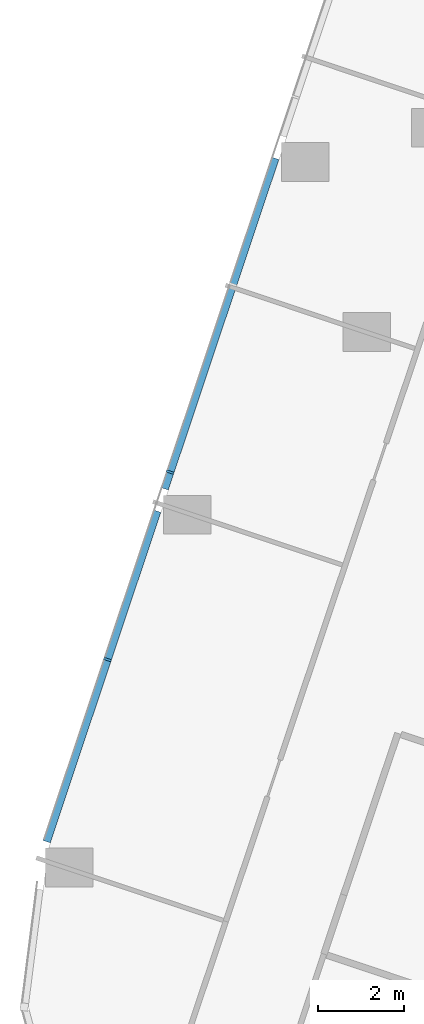
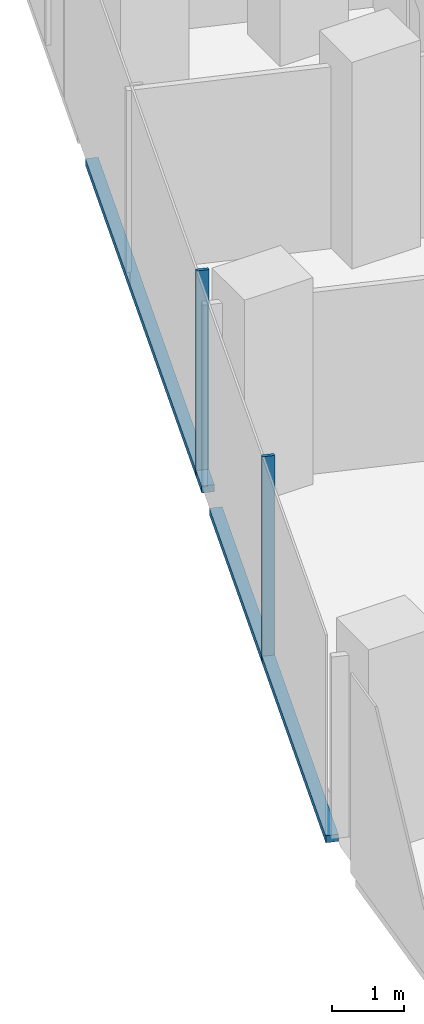
# One storey, part 4 of 26: 4 members, 1 element without a shape of its own.
"""IFC4 building model written with IfcOpenShell, lengths in metres."""

from ifc_helpers import new_model, si_unit, direction, frame, origin, origin_2d, place, context, subcontext, project, spatial, rectangle, extrude, material, material_profile, profile_set, type_object, element, aggregate, save


model = new_model("IFC4")

# Units and contexts
model_context = context("Model", 3, precision=1e-05, world=origin(), true_north=direction((0.0, 1.0)))
body_context = subcontext(model_context, "Body", "Model", "MODEL_VIEW")
ifc_project = project(units=[si_unit("LENGTHUNIT", "METRE"), si_unit("AREAUNIT", "SQUARE_METRE"), si_unit("VOLUMEUNIT", "CUBIC_METRE"), si_unit("PLANEANGLEUNIT", "RADIAN"), si_unit("MASSUNIT", "GRAM", prefix="KILO")], contexts=[model_context])

# Site, building, storey
site_placement = place(None, origin())
site = spatial("IfcSite", under=ifc_project, at=site_placement, CompositionType="ELEMENT")
building_placement = place(site_placement, origin())
building = spatial("IfcBuilding", under=site, at=building_placement, Name="Orlundy Tower", CompositionType="ELEMENT")
storey_placement = place(building_placement, frame((0.0, 0.0, 156.10009765625)))
storey = spatial("IfcBuildingStorey", under=building, at=storey_placement, Name="L40", CompositionType="ELEMENT", Elevation=156.10009765625)

# Curtain wall, members
ifc_material_1 = material(Name="Aluminium bronze anodised", Category="aluminium")
curtain_wall_type = type_object("IfcCurtainWallType", Name="CW1 wall", PredefinedType="NOTDEFINED", material=ifc_material_1)
curtain_wall_placement = place(storey_placement, origin())
curtain_wall = element("IfcCurtainWall", 1, at=curtain_wall_placement, inside=storey, type_object=curtain_wall_type, Name="CW1 run 00", PredefinedType="NOTDEFINED")
ifc_material_2 = material(Name="Aluminium bronze anodised", Category="aluminium")
ifc_material_profile_1 = material_profile(ifc_material_2, rectangle(XDim=0.179931640625, YDim=0.050048828125, at=origin_2d()), Name="CW1 mullion 50x180")
ifc_profile_set_1 = profile_set([ifc_material_profile_1], Name="Aluminium bronze anodised")
member_type_1 = type_object("IfcMemberType", Name="CW1 mullion 50x180", PredefinedType="MULLION", material=ifc_profile_set_1)
member_1_placement = place(storey_placement, frame((-33.46142578125, -36.689697265625, -0.400146484375), z_axis=(0.0, 0.0, 1.0), x_axis=(-0.948326756752, 0.317295386712, 0.0)))
member_1 = element("IfcMember", 2, at=member_1_placement, type_object=member_type_1, Name="CW1 mullion 2", PredefinedType="MULLION", context=body_context, shape_type="SweptSolid", body=[
    extrude(rectangle(XDim=0.179931640625, YDim=0.050048828125, at=origin_2d()), origin(), (0.0, 0.0, 1.0), 3.5),
])
member_2_placement = place(storey_placement, frame((-32.00537109375, -32.338134765625, -0.400146484375), z_axis=(0.0, 0.0, 1.0), x_axis=(-0.948326756752, 0.317295386712, 0.0)))
member_2 = element("IfcMember", 3, at=member_2_placement, type_object=member_type_1, Name="CW1 mullion 3", PredefinedType="MULLION", context=body_context, shape_type="SweptSolid", body=[
    extrude(rectangle(XDim=0.179931640625, YDim=0.050048828125, at=origin_2d()), origin(), (0.0, 0.0, 1.0), 3.5),
])
ifc_material_3 = material(Name="Aluminium bronze anodised", Category="aluminium")
ifc_material_profile_2 = material_profile(ifc_material_3, rectangle(XDim=0.179931640625, YDim=0.1201171875, at=origin_2d()), Name="CW1 transom 180x120")
ifc_profile_set_2 = profile_set([ifc_material_profile_2], Name="Aluminium bronze anodised")
member_type_2 = type_object("IfcMemberType", Name="CW1 transom 180x120", PredefinedType="USERDEFINED", material=ifc_profile_set_2)
member_3_placement = place(storey_placement, frame((-34.875, -40.9150390625, -0.340087890625), z_axis=(0.317277721092, 0.94833266721, 0.0), x_axis=(-0.94833266721, 0.317277721092, 0.0)))
member_3 = element("IfcMember", 4, at=member_3_placement, type_object=member_type_2, Name="CW1 transom", ObjectType="TRANSOM", PredefinedType="USERDEFINED", context=body_context, shape_type="SweptSolid", body=[
    extrude(rectangle(XDim=0.179931640625, YDim=0.1201171875, at=origin_2d()), origin(), (0.0, 0.0, 1.0), 8.09033203125),
])
member_4_placement = place(storey_placement, frame((-32.135009765625, -32.72607421875, -0.340087890625), z_axis=(0.317269039008, 0.948335571877, 0.0), x_axis=(-0.948335571877, 0.317269039008, 0.0)))
member_4 = element("IfcMember", 5, at=member_4_placement, type_object=member_type_2, Name="CW1 transom", ObjectType="TRANSOM", PredefinedType="USERDEFINED", context=body_context, shape_type="SweptSolid", body=[
    extrude(rectangle(XDim=0.179931640625, YDim=0.1201171875, at=origin_2d()), origin(), (0.0, 0.0, 1.0), 8.08740234375),
])
aggregate(curtain_wall, [member_1, member_2, member_3, member_4])

save(model, "model.ifc")
